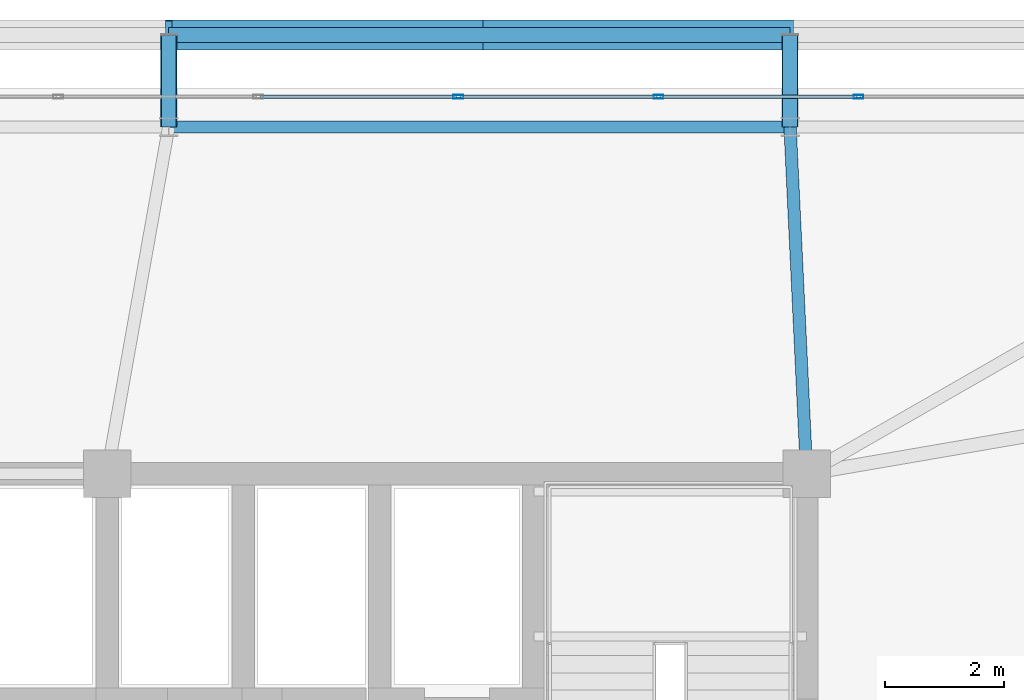
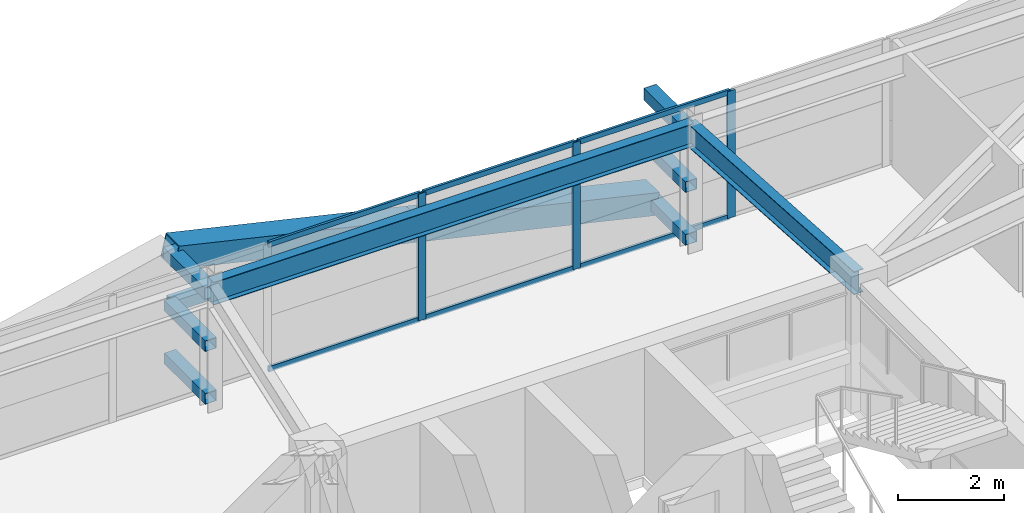
# One storey, part 38 of 59: 18 members, 2 beams, 1 element without a shape of its own.
"""IFC4 building model written with IfcOpenShell, lengths in metres."""

from ifc_helpers import new_model, si_unit, direction, frame, origin, origin_2d, place, context, subcontext, project, spatial, hollow_rectangle, i_section, extrude, source, transform, mapped, material, layer, layer_set, material_profile, profile_set, type_object, element, aggregate, save


model = new_model("IFC4")

# Units and contexts
model_context = context("Model", 3, precision=1e-05, world=origin(), true_north=direction((0.0, 1.0)))
body_context = subcontext(model_context, "Body", "Model", "MODEL_VIEW")
ifc_project = project(units=[si_unit("LENGTHUNIT", "METRE"), si_unit("AREAUNIT", "SQUARE_METRE"), si_unit("VOLUMEUNIT", "CUBIC_METRE"), si_unit("PLANEANGLEUNIT", "RADIAN"), si_unit("MASSUNIT", "GRAM", prefix="KILO")], contexts=[model_context])

# Site, building, storey
site_placement = place(None, origin())
site = spatial("IfcSite", under=ifc_project, at=site_placement, CompositionType="ELEMENT")
building_placement = place(site_placement, origin())
building = spatial("IfcBuilding", under=site, at=building_placement, Name="Taldren Reach Tower", CompositionType="ELEMENT")
storey_placement = place(building_placement, frame((0.0, 0.0, 23.10009765625)))
storey = spatial("IfcBuildingStorey", under=building, at=storey_placement, Name="L06", CompositionType="ELEMENT", Elevation=23.10009765625)

# Beams
ifc_material_1 = material(Name="Steel Gr 350 (350PLUS)", Category="steel")
ifc_material_profile_1 = material_profile(ifc_material_1, i_section(OverallWidth=0.208984375, OverallDepth=0.528076171875, WebThickness=0.009521484375, FlangeThickness=0.01318359375, at=origin_2d()), Name="530UB82.0")
ifc_profile_set_1 = profile_set([ifc_material_profile_1], Name="Steel Gr 350 (350PLUS)")
beam_type_1 = type_object("IfcBeamType", Name="SP-UB530B", PredefinedType="SPANDREL", material=ifc_profile_set_1)
shared_shape_1 = source(origin(), body_context, "Body", "SweptSolid", [
    extrude(i_section(OverallWidth=0.208984375, OverallDepth=0.528076171875, WebThickness=0.009521484375, FlangeThickness=0.01318359375, at=origin_2d()), origin(), (0.0, 0.0, 1.0), 10.47998046875),
])
beam_1_placement = place(storey_placement, frame((50.719970703125, 37.85009765625, 2.666015625), z_axis=(-1.0, 0.0, 0.0), x_axis=(0.0, -1.0, 0.0)))
element("IfcBeam", 1, at=beam_1_placement, inside=storey, type_object=beam_type_1, Name="Perimeter spandrel B1 N5-N4 L06", PredefinedType="SPANDREL", context=body_context, shape_type="MappedRepresentation", body=[
    mapped(shared_shape_1, transform((0.0, 0.0, 0.0), scale=1.0)),
])
ifc_material_profile_2 = material_profile(ifc_material_1, i_section(OverallWidth=0.208984375, OverallDepth=0.532958984375, WebThickness=0.01025390625, FlangeThickness=0.015625, at=origin_2d()), Name="530UB92.4")
ifc_profile_set_2 = profile_set([ifc_material_profile_2], Name="Steel Gr 350 (350PLUS)")
beam_type_2 = type_object("IfcBeamType", Name="BM-UB530A", PredefinedType="BEAM", material=ifc_profile_set_2)
shared_shape_2 = source(origin(), body_context, "Body", "SweptSolid", [
    extrude(i_section(OverallWidth=0.208984375, OverallDepth=0.532958984375, WebThickness=0.01025390625, FlangeThickness=0.015625, at=origin_2d()), origin(), (0.0, 0.0, 1.0), 5.856689453125),
])
beam_2_placement = place(storey_placement, frame((51.0, 32.0, 2.663330078125), z_axis=(-0.047812711672, 0.998856318297, 0.0), x_axis=(-0.998856318297, -0.047812711672, 0.0)))
element("IfcBeam", 2, at=beam_2_placement, inside=storey, type_object=beam_type_2, Name="Primary floor girder B1-N5 L06", PredefinedType="BEAM", context=body_context, shape_type="MappedRepresentation", body=[
    mapped(shared_shape_2, transform((0.0, 0.0, 0.0), scale=1.0)),
])

# Members
ifc_material_2 = material(Name="Steel Gr 450 (C450L0)", Category="steel")
ifc_material_profile_3 = material_profile(ifc_material_2, hollow_rectangle(XDim=0.27490234375, YDim=0.27490234375, WallThickness=0.00927734375, at=origin_2d()), Name="275x275x9.3SHS")
ifc_profile_set_3 = profile_set([ifc_material_profile_3], Name="Steel Gr 450 (C450L0)")
member_type_1 = type_object("IfcMemberType", Name="MB-TIE273", PredefinedType="STRUT", material=ifc_profile_set_3)
shared_shape_3 = source(origin(), body_context, "Body", "SweptSolid", [
    extrude(hollow_rectangle(XDim=0.27490234375, YDim=0.27490234375, WallThickness=0.00927734375, at=origin_2d()), origin(), (0.0, 0.0, 1.0), 1.5498046875),
])
for number, where, z_axis, x_axis, name in (
    (3, (40.239990234375, 37.85009765625, 2.64990234375), (0.0, 1.0, 0.0), (-1.0, 0.0, 0.0), "Exoskeleton diaphragm tie strut B1-N4 L06"),
    (4, (50.719970703125, 37.85009765625, 2.64990234375), (0.0, 1.0, 0.0), (-1.0, 0.0, 0.0), "Exoskeleton diaphragm tie strut B1-N5 L06"),
):
    element("IfcMember", number, at=place(storey_placement, frame(where, z_axis=z_axis, x_axis=x_axis)), inside=storey, type_object=member_type_1, Name=name, PredefinedType="STRUT", context=body_context, shape_type="MappedRepresentation", body=[
        mapped(shared_shape_3, transform((0.0, 0.0, 0.0), scale=1.0)),
    ])
ifc_material_profile_4 = material_profile(ifc_material_2, hollow_rectangle(XDim=0.510009765625, YDim=0.510009765625, WallThickness=0.02001953125, at=origin_2d()), Name="510x510x20.0SHS")
ifc_profile_set_4 = profile_set([ifc_material_profile_4], Name="Steel Gr 450 (C450L0)")
member_type_2 = type_object("IfcMemberType", Name="MB-EXO508", PredefinedType="BRACE", material=ifc_profile_set_4)
shared_shape_4 = source(origin(), body_context, "Body", "SweptSolid", [
    extrude(hollow_rectangle(XDim=0.510009765625, YDim=0.510009765625, WallThickness=0.02001953125, at=origin_2d()), origin(), (0.0, 0.0, 1.0), 5.37890625),
])
for number, where, z_axis, x_axis, name in (
    (5, (50.719970703125, 39.39990234375, 0.219970703125), (-0.974161966843, 0.0, 0.225850531007), (0.0, -1.0, 0.0), "Exoskeleton Diagrid Brace B1-N4 L06"),
    (6, (45.47998046875, 39.39990234375, 1.434814453125), (-0.97415197996, 0.0, 0.225893603143), (0.0, -1.0, 0.0), "Exoskeleton Diagrid Brace B1-N4 L06"),
):
    element("IfcMember", number, at=place(storey_placement, frame(where, z_axis=z_axis, x_axis=x_axis)), inside=storey, type_object=member_type_2, Name=name, PredefinedType="BRACE", context=body_context, shape_type="MappedRepresentation", body=[
        mapped(shared_shape_4, transform((0.0, 0.0, 0.0), scale=1.0)),
    ])
ifc_material_3 = material(Name="Steel Gr 350 (C350L0)", Category="steel")
ifc_material_profile_5 = material_profile(ifc_material_3, hollow_rectangle(XDim=0.25, YDim=0.25, WallThickness=0.010009765625, at=origin_2d()), Name="250x250x10.0SHS")
ifc_profile_set_5 = profile_set([ifc_material_profile_5], Name="Steel Gr 350 (C350L0)")
member_type_3 = type_object("IfcMemberType", Name="MB-POST250", PredefinedType="POST", material=ifc_profile_set_5)
shared_shape_5 = source(origin(), body_context, "Body", "SweptSolid", [
    extrude(hollow_rectangle(XDim=0.25, YDim=0.25, WallThickness=0.010009765625, at=origin_2d()), origin(), (0.0, 0.0, 1.0), 10.47998046875),
])
member_1_placement = place(storey_placement, frame((40.239990234375, 39.39990234375, 1.434814453125), z_axis=(1.0, 0.0, 0.0), x_axis=(0.0, 1.0, 0.0)))
element("IfcMember", 7, at=member_1_placement, inside=storey, type_object=member_type_3, Name="Exoskeleton mid-height ring chord B1-N4 L06", PredefinedType="POST", context=body_context, shape_type="MappedRepresentation", body=[
    mapped(shared_shape_5, transform((0.0, 0.0, 0.0), scale=1.0)),
])
shared_shape_6 = source(origin(), body_context, "Body", "SweptSolid", [
    extrude(hollow_rectangle(XDim=0.25, YDim=0.25, WallThickness=0.010009765625, at=origin_2d()), origin(), (0.0, 0.0, 1.0), 1.5498046875),
])
for number, where, z_axis, x_axis, name in (
    (8, (40.239990234375, 37.85009765625, 0.219970703125), (0.0, 1.0, 0.0), (-1.0, 0.0, 0.0), "Exoskeleton base diaphragm tie strut B1-N4 L06"),
    (9, (50.719970703125, 37.85009765625, 0.219970703125), (0.0, 1.0, 0.0), (-1.0, 0.0, 0.0), "Exoskeleton base diaphragm tie strut B1-N5 L06"),
    (10, (40.239990234375, 37.85009765625, 1.434814453125), (0.0, 1.0, 0.0), (-1.0, 0.0, 0.0), "Exoskeleton mid-tier diaphragm tie B1-N4 L06"),
    (11, (50.719970703125, 37.85009765625, 1.434814453125), (0.0, 1.0, 0.0), (-1.0, 0.0, 0.0), "Exoskeleton mid-tier diaphragm tie B1-N5 L06"),
):
    element("IfcMember", number, at=place(storey_placement, frame(where, z_axis=z_axis, x_axis=x_axis)), inside=storey, type_object=member_type_3, Name=name, PredefinedType="POST", context=body_context, shape_type="MappedRepresentation", body=[
        mapped(shared_shape_6, transform((0.0, 0.0, 0.0), scale=1.0)),
    ])

# Curtain wall, members
ifc_material_4 = material(Name="Aluminium and Low-E Glass Unitised System", Category="aluminium")
ifc_layer = layer(ifc_material_4, 0.159912109375)
ifc_layer_set = layer_set([ifc_layer], Name="Aluminium and Low-E Glass Unitised System")
curtain_wall_type = type_object("IfcCurtainWallType", Name="CW-SYS-2", PredefinedType="NOTDEFINED", material=ifc_layer_set)
curtain_wall_placement = place(storey_placement, origin())
curtain_wall = element("IfcCurtainWall", 12, at=curtain_wall_placement, inside=storey, type_object=curtain_wall_type, Name="Unitised curtain wall CW-L06-N", PredefinedType="NOTDEFINED")
ifc_material_5 = material(Name="Anodised Aluminium 6063-T6", Category="aluminium")
ifc_material_profile_6 = material_profile(ifc_material_5, hollow_rectangle(XDim=0.06494140625, YDim=0.1650390625, WallThickness=0.00390625, at=origin_2d()), Name="ALU-165x65x4RHS")
ifc_profile_set_6 = profile_set([ifc_material_profile_6], Name="Anodised Aluminium 6063-T6")
member_type_4 = type_object("IfcMemberType", Name="CW-MUL-165", PredefinedType="MULLION", material=ifc_profile_set_6)
shared_shape_7 = source(origin(), body_context, "Body", "SweptSolid", [
    extrude(hollow_rectangle(XDim=0.06494140625, YDim=0.1650390625, WallThickness=0.00390625, at=origin_2d()), origin(), (0.0, 0.0, 1.0), 2.929931640625),
])
member_2_placement = place(storey_placement, frame((51.875, 38.360107421875, 0.0), z_axis=(0.0, 0.0, 1.0), x_axis=(0.0, -1.0, 0.0)))
member_2 = element("IfcMember", 13, at=member_2_placement, type_object=member_type_4, Name="CW-2 mullion 4", PredefinedType="MULLION", context=body_context, shape_type="MappedRepresentation", body=[
    mapped(shared_shape_7, transform((0.0, 0.0, 0.0), scale=1.0)),
])
member_3_placement = place(storey_placement, frame((48.5, 38.360107421875, 0.0), z_axis=(0.0, 0.0, 1.0), x_axis=(0.0, -1.0, 0.0)))
member_3 = element("IfcMember", 14, at=member_3_placement, type_object=member_type_4, Name="CW-2 mullion 5", PredefinedType="MULLION", context=body_context, shape_type="MappedRepresentation", body=[
    mapped(shared_shape_7, transform((0.0, 0.0, 0.0), scale=1.0)),
])
member_4_placement = place(storey_placement, frame((45.125, 38.360107421875, 0.0), z_axis=(0.0, 0.0, 1.0), x_axis=(0.0, -1.0, 0.0)))
member_4 = element("IfcMember", 15, at=member_4_placement, type_object=member_type_4, Name="CW-2 mullion 6", PredefinedType="MULLION", context=body_context, shape_type="MappedRepresentation", body=[
    mapped(shared_shape_7, transform((0.0, 0.0, 0.0), scale=1.0)),
])
ifc_material_profile_7 = material_profile(ifc_material_5, hollow_rectangle(XDim=0.054931640625, YDim=0.1201171875, WallThickness=0.0029296875, at=origin_2d()), Name="ALU-120x55x3RHS")
ifc_profile_set_7 = profile_set([ifc_material_profile_7], Name="Anodised Aluminium 6063-T6")
member_type_5 = type_object("IfcMemberType", Name="CW-TRN-135", PredefinedType="USERDEFINED", material=ifc_profile_set_7)
shared_shape_8 = source(origin(), body_context, "Body", "SweptSolid", [
    extrude(hollow_rectangle(XDim=0.054931640625, YDim=0.1201171875, WallThickness=0.0029296875, at=origin_2d()), origin(), (0.0, 0.0, 1.0), 3.31005859375),
])
member_5_placement = place(storey_placement, frame((51.842529296875, 38.360107421875, 0.02734375), z_axis=(-1.0, 0.0, 0.0), x_axis=(0.0, -1.0, 0.0)))
member_5 = element("IfcMember", 16, at=member_5_placement, type_object=member_type_5, Name="CW-2 transom 4.1", ObjectType="TRANSOM", PredefinedType="USERDEFINED", context=body_context, shape_type="MappedRepresentation", body=[
    mapped(shared_shape_8, transform((0.0, 0.0, 0.0), scale=1.0)),
])
member_6_placement = place(storey_placement, frame((51.842529296875, 38.360107421875, 2.90234375), z_axis=(-1.0, 0.0, 0.0), x_axis=(0.0, -1.0, 0.0)))
member_6 = element("IfcMember", 17, at=member_6_placement, type_object=member_type_5, Name="CW-2 transom 4.2", ObjectType="TRANSOM", PredefinedType="USERDEFINED", context=body_context, shape_type="MappedRepresentation", body=[
    mapped(shared_shape_8, transform((0.0, 0.0, 0.0), scale=1.0)),
])
member_7_placement = place(storey_placement, frame((48.467529296875, 38.360107421875, 0.02734375), z_axis=(-1.0, 0.0, 0.0), x_axis=(0.0, -1.0, 0.0)))
member_7 = element("IfcMember", 18, at=member_7_placement, type_object=member_type_5, Name="CW-2 transom 5.1", ObjectType="TRANSOM", PredefinedType="USERDEFINED", context=body_context, shape_type="MappedRepresentation", body=[
    mapped(shared_shape_8, transform((0.0, 0.0, 0.0), scale=1.0)),
])
member_8_placement = place(storey_placement, frame((48.467529296875, 38.360107421875, 2.90234375), z_axis=(-1.0, 0.0, 0.0), x_axis=(0.0, -1.0, 0.0)))
member_8 = element("IfcMember", 19, at=member_8_placement, type_object=member_type_5, Name="CW-2 transom 5.2", ObjectType="TRANSOM", PredefinedType="USERDEFINED", context=body_context, shape_type="MappedRepresentation", body=[
    mapped(shared_shape_8, transform((0.0, 0.0, 0.0), scale=1.0)),
])
member_9_placement = place(storey_placement, frame((45.092529296875, 38.360107421875, 0.02734375), z_axis=(-1.0, 0.0, 0.0), x_axis=(0.0, -1.0, 0.0)))
member_9 = element("IfcMember", 20, at=member_9_placement, type_object=member_type_5, Name="CW-2 transom 6.1", ObjectType="TRANSOM", PredefinedType="USERDEFINED", context=body_context, shape_type="MappedRepresentation", body=[
    mapped(shared_shape_8, transform((0.0, 0.0, 0.0), scale=1.0)),
])
member_10_placement = place(storey_placement, frame((45.092529296875, 38.360107421875, 2.90234375), z_axis=(-1.0, 0.0, 0.0), x_axis=(0.0, -1.0, 0.0)))
member_10 = element("IfcMember", 21, at=member_10_placement, type_object=member_type_5, Name="CW-2 transom 6.2", ObjectType="TRANSOM", PredefinedType="USERDEFINED", context=body_context, shape_type="MappedRepresentation", body=[
    mapped(shared_shape_8, transform((0.0, 0.0, 0.0), scale=1.0)),
])
aggregate(curtain_wall, [member_2, member_3, member_4, member_5, member_6, member_7, member_8, member_9, member_10])

save(model, "model.ifc")
